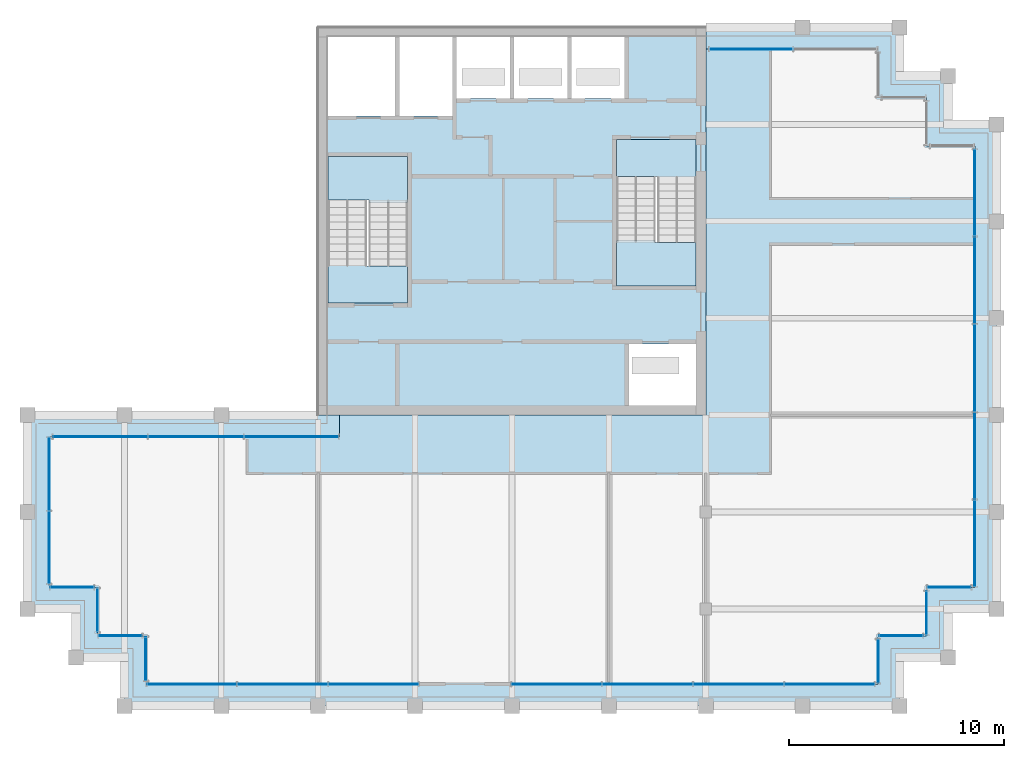
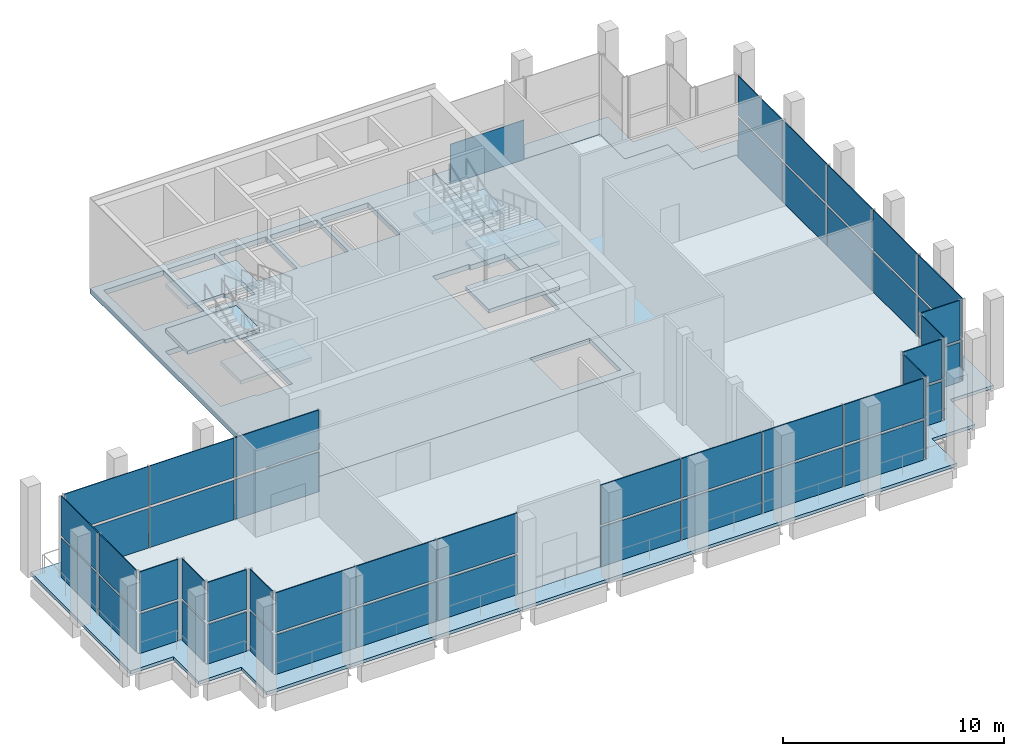
# One storey, part 10 of 14: 51 plates, 9 slabs, 16 elements without a shape of their own.
"""IFC4 building model written with IfcOpenShell, lengths in metres."""

from ifc_helpers import new_model, si_unit, direction, frame, origin, origin_2d, place, context, subcontext, project, spatial, polyline, rectangle, outline, extrude, material, layer, layer_set, type_object, element, aggregate, save


model = new_model("IFC4")

# Units and contexts
model_context = context("Model", 3, precision=1e-05, world=origin(), true_north=direction((0.0, 1.0)))
body_context = subcontext(model_context, "Body", "Model", "MODEL_VIEW")
ifc_project = project(units=[si_unit("LENGTHUNIT", "METRE"), si_unit("AREAUNIT", "SQUARE_METRE"), si_unit("VOLUMEUNIT", "CUBIC_METRE"), si_unit("PLANEANGLEUNIT", "RADIAN"), si_unit("MASSUNIT", "GRAM", prefix="KILO")], contexts=[model_context])

# Site, building, storey
site_placement = place(None, origin())
site = spatial("IfcSite", under=ifc_project, at=site_placement, CompositionType="ELEMENT")
building_placement = place(site_placement, origin())
building = spatial("IfcBuilding", under=site, at=building_placement, Name="Altepetl Exchange Towers", CompositionType="ELEMENT")
storey_placement = place(building_placement, frame((0.0, 0.0, 269.60009765625)))
storey = spatial("IfcBuildingStorey", under=building, at=storey_placement, Name="L68 Observation gallery", CompositionType="ELEMENT", Elevation=269.60009765625)

# Slabs
ifc_material_1 = material(Name="Concrete C40/50", Category="concrete")
ifc_layer_1 = layer(ifc_material_1, 0.175048828125)
ifc_layer_set_1 = layer_set([ifc_layer_1], Name="Concrete C40/50")
slab_type_1 = type_object("IfcSlabType", Name="Composite floor slab 175", PredefinedType="FLOOR", material=ifc_layer_set_1)
slab_1_placement = place(storey_placement, frame((0.0, 0.0, -0.175048828125)))
element("IfcSlab", 1, at=slab_1_placement, inside=storey, type_object=slab_type_1, Name="slab:A:L68:strip0", PredefinedType="FLOOR", context=body_context, shape_type="SweptSolid", body=[
    extrude(outline(polyline([(41.5, 40.5), (41.5, 39.5), (28.0, 39.5), (28.0, 32.5), (30.25, 32.5), (30.25, 30.25), (32.5, 30.25), (32.5, 28.0), (66.5, 28.0), (66.5, 30.25), (68.75, 30.25), (68.75, 32.5), (71.0, 32.5), (71.0, 53.0), (68.75, 53.0), (68.75, 55.25), (66.5, 55.25), (66.5, 57.5), (58.5, 57.5), (58.5, 40.5), (41.5, 40.5)])), origin(), (0.0, 0.0, 1.0), 0.175048828125),
])
ifc_layer_2 = layer(ifc_material_1, 0.27490234375)
ifc_layer_set_2 = layer_set([ifc_layer_2], Name="Concrete C40/50")
slab_type_2 = type_object("IfcSlabType", Name="Core floor slab 275", PredefinedType="FLOOR", material=ifc_layer_set_2)
slab_2_placement = place(storey_placement, frame((0.0, 0.0, -0.275146484375)))
element("IfcSlab", 2, at=slab_2_placement, inside=storey, type_object=slab_type_2, Name="slab:A:L68:core0", PredefinedType="FLOOR", context=body_context, shape_type="SweptSolid", body=[
    extrude(outline(polyline([(40.5, 40.5), (58.5, 40.5), (58.5, 58.5), (40.5, 58.5), (40.5, 40.5)]), holes=[polyline([(54.93310546875, 43.800048828125), (58.050048828125, 43.800048828125), (58.050048828125, 40.949951171875), (54.93310546875, 40.949951171875), (54.93310546875, 43.800048828125)]), polyline([(54.35009765625, 51.5791015625), (56.25, 51.5791015625), (56.25, 51.47998046875), (58.050048828125, 51.47998046875), (58.050048828125, 46.5), (54.35009765625, 46.5), (54.35009765625, 51.5791015625)]), polyline([(44.64990234375, 47.4208984375), (42.75, 47.4208984375), (42.75, 47.52001953125), (40.949951171875, 47.52001953125), (40.949951171875, 52.5), (44.64990234375, 52.5), (44.64990234375, 47.4208984375)]), polyline([(40.949951171875, 58.050048828125), (44.06689453125, 58.050048828125), (44.06689453125, 54.39990234375), (40.949951171875, 54.39990234375), (40.949951171875, 58.050048828125)]), polyline([(44.26708984375, 58.050048828125), (46.73291015625, 58.050048828125), (46.73291015625, 54.39990234375), (44.26708984375, 54.39990234375), (44.26708984375, 58.050048828125)]), polyline([(46.93310546875, 58.050048828125), (49.39990234375, 58.050048828125), (49.39990234375, 55.199951171875), (46.93310546875, 55.199951171875), (46.93310546875, 58.050048828125)]), polyline([(49.60009765625, 58.050048828125), (52.06689453125, 58.050048828125), (52.06689453125, 55.199951171875), (49.60009765625, 55.199951171875), (49.60009765625, 58.050048828125)]), polyline([(52.26708984375, 58.050048828125), (54.73291015625, 58.050048828125), (54.73291015625, 55.199951171875), (52.26708984375, 55.199951171875), (52.26708984375, 58.050048828125)])]), origin(), (0.0, 0.0, 1.0), 0.275146484375),
])

# Curtain wall, plates
ifc_material_2 = material(Name="Aluminium 6063-T6 glazing", Category="aluminium")
curtain_wall_type = type_object("IfcCurtainWallType", Name="Executive flush glazing system", PredefinedType="NOTDEFINED", material=ifc_material_2)
curtain_wall_1_placement = place(storey_placement, origin())
curtain_wall_1 = element("IfcCurtainWall", 3, at=curtain_wall_1_placement, inside=storey, type_object=curtain_wall_type, Name="CW4 run", PredefinedType="NOTDEFINED")
ifc_material_3 = material(Name="Glass 10-24-10 laminated", Category="glass")
ifc_layer_3 = layer(ifc_material_3, 0.0439453125)
ifc_layer_set_3 = layer_set([ifc_layer_3], Name="Glass 10-24-10 laminated")
plate_type = type_object("IfcPlateType", Name="Glass panel 44 laminated", PredefinedType="CURTAIN_PANEL", material=ifc_layer_set_3)
plate_1_placement = place(storey_placement, frame((39.255859375, 39.5, 0.0), z_axis=(0.0, 0.0, 1.0), x_axis=(-1.0, 0.0, 0.0)))
plate_1 = element("IfcPlate", 4, at=plate_1_placement, type_object=plate_type, Name="GP3 panel", PredefinedType="CURTAIN_PANEL", context=body_context, shape_type="SweptSolid", body=[
    extrude(rectangle(XDim=4.368408203125, YDim=0.0439453125, at=origin_2d()), origin(), (0.0, 0.0, 1.0), 2.179931640625),
])
plate_2_placement = place(storey_placement, frame((39.255859375, 39.5, 2.31982421875), z_axis=(0.0, 0.0, 1.0), x_axis=(-1.0, 0.0, 0.0)))
plate_2 = element("IfcPlate", 5, at=plate_2_placement, type_object=plate_type, Name="GP3 panel", PredefinedType="CURTAIN_PANEL", context=body_context, shape_type="SweptSolid", body=[
    extrude(rectangle(XDim=4.368408203125, YDim=0.0439453125, at=origin_2d()), origin(), (0.0, 0.0, 1.0), 2.179931640625),
])
plate_3_placement = place(storey_placement, frame((34.8125, 39.5, 0.0), z_axis=(0.0, 0.0, 1.0), x_axis=(-1.0, 0.0, 0.0)))
plate_3 = element("IfcPlate", 6, at=plate_3_placement, type_object=plate_type, Name="GP3 panel", PredefinedType="CURTAIN_PANEL", context=body_context, shape_type="SweptSolid", body=[
    extrude(rectangle(XDim=4.3984375, YDim=0.0439453125, at=origin_2d()), origin(), (0.0, 0.0, 1.0), 2.179931640625),
])
plate_4_placement = place(storey_placement, frame((34.8125, 39.5, 2.31982421875), z_axis=(0.0, 0.0, 1.0), x_axis=(-1.0, 0.0, 0.0)))
plate_4 = element("IfcPlate", 7, at=plate_4_placement, type_object=plate_type, Name="GP3 panel", PredefinedType="CURTAIN_PANEL", context=body_context, shape_type="SweptSolid", body=[
    extrude(rectangle(XDim=4.3984375, YDim=0.0439453125, at=origin_2d()), origin(), (0.0, 0.0, 1.0), 2.179931640625),
])
plate_5_placement = place(storey_placement, frame((30.369140625, 39.5, 0.0), z_axis=(0.0, 0.0, 1.0), x_axis=(-1.0, 0.0, 0.0)))
plate_5 = element("IfcPlate", 8, at=plate_5_placement, type_object=plate_type, Name="GP3 panel", PredefinedType="CURTAIN_PANEL", context=body_context, shape_type="SweptSolid", body=[
    extrude(rectangle(XDim=4.368408203125, YDim=0.0439453125, at=origin_2d()), origin(), (0.0, 0.0, 1.0), 2.179931640625),
])
plate_6_placement = place(storey_placement, frame((30.369140625, 39.5, 2.31982421875), z_axis=(0.0, 0.0, 1.0), x_axis=(-1.0, 0.0, 0.0)))
plate_6 = element("IfcPlate", 9, at=plate_6_placement, type_object=plate_type, Name="GP3 panel", PredefinedType="CURTAIN_PANEL", context=body_context, shape_type="SweptSolid", body=[
    extrude(rectangle(XDim=4.368408203125, YDim=0.0439453125, at=origin_2d()), origin(), (0.0, 0.0, 1.0), 2.179931640625),
])
aggregate(curtain_wall_1, [plate_1, plate_2, plate_3, plate_4, plate_5, plate_6])

curtain_wall_2_placement = place(storey_placement, origin())
curtain_wall_2 = element("IfcCurtainWall", 10, at=curtain_wall_2_placement, inside=storey, type_object=curtain_wall_type, Name="CW4 run", PredefinedType="NOTDEFINED")
plate_7_placement = place(storey_placement, frame((28.0, 37.766357421875, 0.0), z_axis=(0.0, 0.0, 1.0), x_axis=(0.0, -1.0, 0.0)))
plate_7 = element("IfcPlate", 11, at=plate_7_placement, type_object=plate_type, Name="GP3 panel", PredefinedType="CURTAIN_PANEL", context=body_context, shape_type="SweptSolid", body=[
    extrude(rectangle(XDim=3.347412109375, YDim=0.0439453125, at=origin_2d()), origin(), (0.0, 0.0, 1.0), 2.179931640625),
])
plate_8_placement = place(storey_placement, frame((28.0, 37.766357421875, 2.31982421875), z_axis=(0.0, 0.0, 1.0), x_axis=(0.0, -1.0, 0.0)))
plate_8 = element("IfcPlate", 12, at=plate_8_placement, type_object=plate_type, Name="GP3 panel", PredefinedType="CURTAIN_PANEL", context=body_context, shape_type="SweptSolid", body=[
    extrude(rectangle(XDim=3.347412109375, YDim=0.0439453125, at=origin_2d()), origin(), (0.0, 0.0, 1.0), 2.179931640625),
])
plate_9_placement = place(storey_placement, frame((28.0, 34.358642578125, 0.0), z_axis=(0.0, 0.0, 1.0), x_axis=(0.0, -1.0, 0.0)))
plate_9 = element("IfcPlate", 13, at=plate_9_placement, type_object=plate_type, Name="GP3 panel", PredefinedType="CURTAIN_PANEL", context=body_context, shape_type="SweptSolid", body=[
    extrude(rectangle(XDim=3.347412109375, YDim=0.0439453125, at=origin_2d()), origin(), (0.0, 0.0, 1.0), 2.179931640625),
])
plate_10_placement = place(storey_placement, frame((28.0, 34.358642578125, 2.31982421875), z_axis=(0.0, 0.0, 1.0), x_axis=(0.0, -1.0, 0.0)))
plate_10 = element("IfcPlate", 14, at=plate_10_placement, type_object=plate_type, Name="GP3 panel", PredefinedType="CURTAIN_PANEL", context=body_context, shape_type="SweptSolid", body=[
    extrude(rectangle(XDim=3.347412109375, YDim=0.0439453125, at=origin_2d()), origin(), (0.0, 0.0, 1.0), 2.179931640625),
])
aggregate(curtain_wall_2, [plate_7, plate_8, plate_9, plate_10])

curtain_wall_3_placement = place(storey_placement, origin())
curtain_wall_3 = element("IfcCurtainWall", 15, at=curtain_wall_3_placement, inside=storey, type_object=curtain_wall_type, Name="CW4 run", PredefinedType="NOTDEFINED")
plate_11_placement = place(storey_placement, frame((29.0625, 32.5, 0.0)))
plate_11 = element("IfcPlate", 16, at=plate_11_placement, type_object=plate_type, Name="GP3 panel", PredefinedType="CURTAIN_PANEL", context=body_context, shape_type="SweptSolid", body=[
    extrude(rectangle(XDim=2.0048828125, YDim=0.0439453125, at=origin_2d()), origin(), (0.0, 0.0, 1.0), 2.179931640625),
])
plate_12_placement = place(storey_placement, frame((29.0625, 32.5, 2.31982421875)))
plate_12 = element("IfcPlate", 17, at=plate_12_placement, type_object=plate_type, Name="GP3 panel", PredefinedType="CURTAIN_PANEL", context=body_context, shape_type="SweptSolid", body=[
    extrude(rectangle(XDim=2.0048828125, YDim=0.0439453125, at=origin_2d()), origin(), (0.0, 0.0, 1.0), 2.179931640625),
])
aggregate(curtain_wall_3, [plate_11, plate_12])

curtain_wall_4_placement = place(storey_placement, origin())
curtain_wall_4 = element("IfcCurtainWall", 18, at=curtain_wall_4_placement, inside=storey, type_object=curtain_wall_type, Name="CW4 run", PredefinedType="NOTDEFINED")
plate_13_placement = place(storey_placement, frame((30.25, 31.4375, 0.0), z_axis=(0.0, 0.0, 1.0), x_axis=(0.0, -1.0, 0.0)))
plate_13 = element("IfcPlate", 19, at=plate_13_placement, type_object=plate_type, Name="GP3 panel", PredefinedType="CURTAIN_PANEL", context=body_context, shape_type="SweptSolid", body=[
    extrude(rectangle(XDim=2.0048828125, YDim=0.0439453125, at=origin_2d()), origin(), (0.0, 0.0, 1.0), 2.179931640625),
])
plate_14_placement = place(storey_placement, frame((30.25, 31.4375, 2.31982421875), z_axis=(0.0, 0.0, 1.0), x_axis=(0.0, -1.0, 0.0)))
plate_14 = element("IfcPlate", 20, at=plate_14_placement, type_object=plate_type, Name="GP3 panel", PredefinedType="CURTAIN_PANEL", context=body_context, shape_type="SweptSolid", body=[
    extrude(rectangle(XDim=2.0048828125, YDim=0.0439453125, at=origin_2d()), origin(), (0.0, 0.0, 1.0), 2.179931640625),
])
aggregate(curtain_wall_4, [plate_13, plate_14])

curtain_wall_5_placement = place(storey_placement, origin())
curtain_wall_5 = element("IfcCurtainWall", 21, at=curtain_wall_5_placement, inside=storey, type_object=curtain_wall_type, Name="CW4 run", PredefinedType="NOTDEFINED")
plate_15_placement = place(storey_placement, frame((31.3125, 30.25, 0.0)))
plate_15 = element("IfcPlate", 22, at=plate_15_placement, type_object=plate_type, Name="GP3 panel", PredefinedType="CURTAIN_PANEL", context=body_context, shape_type="SweptSolid", body=[
    extrude(rectangle(XDim=2.0048828125, YDim=0.0439453125, at=origin_2d()), origin(), (0.0, 0.0, 1.0), 2.179931640625),
])
plate_16_placement = place(storey_placement, frame((31.3125, 30.25, 2.31982421875)))
plate_16 = element("IfcPlate", 23, at=plate_16_placement, type_object=plate_type, Name="GP3 panel", PredefinedType="CURTAIN_PANEL", context=body_context, shape_type="SweptSolid", body=[
    extrude(rectangle(XDim=2.0048828125, YDim=0.0439453125, at=origin_2d()), origin(), (0.0, 0.0, 1.0), 2.179931640625),
])
aggregate(curtain_wall_5, [plate_15, plate_16])

curtain_wall_6_placement = place(storey_placement, origin())
curtain_wall_6 = element("IfcCurtainWall", 24, at=curtain_wall_6_placement, inside=storey, type_object=curtain_wall_type, Name="CW4 run", PredefinedType="NOTDEFINED")
plate_17_placement = place(storey_placement, frame((32.5, 29.1875, 0.0), z_axis=(0.0, 0.0, 1.0), x_axis=(0.0, -1.0, 0.0)))
plate_17 = element("IfcPlate", 25, at=plate_17_placement, type_object=plate_type, Name="GP3 panel", PredefinedType="CURTAIN_PANEL", context=body_context, shape_type="SweptSolid", body=[
    extrude(rectangle(XDim=2.0048828125, YDim=0.0439453125, at=origin_2d()), origin(), (0.0, 0.0, 1.0), 2.179931640625),
])
plate_18_placement = place(storey_placement, frame((32.5, 29.1875, 2.31982421875), z_axis=(0.0, 0.0, 1.0), x_axis=(0.0, -1.0, 0.0)))
plate_18 = element("IfcPlate", 26, at=plate_18_placement, type_object=plate_type, Name="GP3 panel", PredefinedType="CURTAIN_PANEL", context=body_context, shape_type="SweptSolid", body=[
    extrude(rectangle(XDim=2.0048828125, YDim=0.0439453125, at=origin_2d()), origin(), (0.0, 0.0, 1.0), 2.179931640625),
])
aggregate(curtain_wall_6, [plate_17, plate_18])

curtain_wall_7_placement = place(storey_placement, origin())
curtain_wall_7 = element("IfcCurtainWall", 27, at=curtain_wall_7_placement, inside=storey, type_object=curtain_wall_type, Name="CW4 run", PredefinedType="NOTDEFINED")
plate_19_placement = place(storey_placement, frame((34.632080078125, 28.0, 0.0)))
plate_19 = element("IfcPlate", 28, at=plate_19_placement, type_object=plate_type, Name="GP3 panel", PredefinedType="CURTAIN_PANEL", context=body_context, shape_type="SweptSolid", body=[
    extrude(rectangle(XDim=4.144287109375, YDim=0.0439453125, at=origin_2d()), origin(), (0.0, 0.0, 1.0), 2.179931640625),
])
plate_20_placement = place(storey_placement, frame((34.632080078125, 28.0, 2.31982421875)))
plate_20 = element("IfcPlate", 29, at=plate_20_placement, type_object=plate_type, Name="GP3 panel", PredefinedType="CURTAIN_PANEL", context=body_context, shape_type="SweptSolid", body=[
    extrude(rectangle(XDim=4.144287109375, YDim=0.0439453125, at=origin_2d()), origin(), (0.0, 0.0, 1.0), 2.179931640625),
])
plate_21_placement = place(storey_placement, frame((38.8515625, 28.0, 0.0)))
plate_21 = element("IfcPlate", 30, at=plate_21_placement, type_object=plate_type, Name="GP3 panel", PredefinedType="CURTAIN_PANEL", context=body_context, shape_type="SweptSolid", body=[
    extrude(rectangle(XDim=4.17431640625, YDim=0.0439453125, at=origin_2d()), origin(), (0.0, 0.0, 1.0), 2.179931640625),
])
plate_22_placement = place(storey_placement, frame((38.8515625, 28.0, 2.31982421875)))
plate_22 = element("IfcPlate", 31, at=plate_22_placement, type_object=plate_type, Name="GP3 panel", PredefinedType="CURTAIN_PANEL", context=body_context, shape_type="SweptSolid", body=[
    extrude(rectangle(XDim=4.17431640625, YDim=0.0439453125, at=origin_2d()), origin(), (0.0, 0.0, 1.0), 2.179931640625),
])
plate_23_placement = place(storey_placement, frame((43.071044921875, 28.0, 0.0)))
plate_23 = element("IfcPlate", 32, at=plate_23_placement, type_object=plate_type, Name="GP3 panel", PredefinedType="CURTAIN_PANEL", context=body_context, shape_type="SweptSolid", body=[
    extrude(rectangle(XDim=4.144287109375, YDim=0.0439453125, at=origin_2d()), origin(), (0.0, 0.0, 1.0), 2.179931640625),
])
plate_24_placement = place(storey_placement, frame((43.071044921875, 28.0, 2.31982421875)))
plate_24 = element("IfcPlate", 33, at=plate_24_placement, type_object=plate_type, Name="GP3 panel", PredefinedType="CURTAIN_PANEL", context=body_context, shape_type="SweptSolid", body=[
    extrude(rectangle(XDim=4.144287109375, YDim=0.0439453125, at=origin_2d()), origin(), (0.0, 0.0, 1.0), 2.179931640625),
])
aggregate(curtain_wall_7, [plate_19, plate_20, plate_21, plate_22, plate_23, plate_24])

curtain_wall_8_placement = place(storey_placement, origin())
curtain_wall_8 = element("IfcCurtainWall", 34, at=curtain_wall_8_placement, inside=storey, type_object=curtain_wall_type, Name="CW4 run", PredefinedType="NOTDEFINED")
plate_25_placement = place(storey_placement, frame((51.569580078125, 28.0, 0.0)))
plate_25 = element("IfcPlate", 35, at=plate_25_placement, type_object=plate_type, Name="GP3 panel", PredefinedType="CURTAIN_PANEL", context=body_context, shape_type="SweptSolid", body=[
    extrude(rectangle(XDim=4.144287109375, YDim=0.0439453125, at=origin_2d()), origin(), (0.0, 0.0, 1.0), 2.179931640625),
])
plate_26_placement = place(storey_placement, frame((51.569580078125, 28.0, 2.31982421875)))
plate_26 = element("IfcPlate", 36, at=plate_26_placement, type_object=plate_type, Name="GP3 panel", PredefinedType="CURTAIN_PANEL", context=body_context, shape_type="SweptSolid", body=[
    extrude(rectangle(XDim=4.144287109375, YDim=0.0439453125, at=origin_2d()), origin(), (0.0, 0.0, 1.0), 2.179931640625),
])
plate_27_placement = place(storey_placement, frame((55.7890625, 28.0, 0.0)))
plate_27 = element("IfcPlate", 37, at=plate_27_placement, type_object=plate_type, Name="GP3 panel", PredefinedType="CURTAIN_PANEL", context=body_context, shape_type="SweptSolid", body=[
    extrude(rectangle(XDim=4.17431640625, YDim=0.0439453125, at=origin_2d()), origin(), (0.0, 0.0, 1.0), 2.179931640625),
])
plate_28_placement = place(storey_placement, frame((55.7890625, 28.0, 2.31982421875)))
plate_28 = element("IfcPlate", 38, at=plate_28_placement, type_object=plate_type, Name="GP3 panel", PredefinedType="CURTAIN_PANEL", context=body_context, shape_type="SweptSolid", body=[
    extrude(rectangle(XDim=4.17431640625, YDim=0.0439453125, at=origin_2d()), origin(), (0.0, 0.0, 1.0), 2.179931640625),
])
plate_29_placement = place(storey_placement, frame((60.0234375, 28.0, 0.0)))
plate_29 = element("IfcPlate", 39, at=plate_29_placement, type_object=plate_type, Name="GP3 panel", PredefinedType="CURTAIN_PANEL", context=body_context, shape_type="SweptSolid", body=[
    extrude(rectangle(XDim=4.17431640625, YDim=0.0439453125, at=origin_2d()), origin(), (0.0, 0.0, 1.0), 2.179931640625),
])
plate_30_placement = place(storey_placement, frame((60.0234375, 28.0, 2.31982421875)))
plate_30 = element("IfcPlate", 40, at=plate_30_placement, type_object=plate_type, Name="GP3 panel", PredefinedType="CURTAIN_PANEL", context=body_context, shape_type="SweptSolid", body=[
    extrude(rectangle(XDim=4.17431640625, YDim=0.0439453125, at=origin_2d()), origin(), (0.0, 0.0, 1.0), 2.179931640625),
])
plate_31_placement = place(storey_placement, frame((64.242919921875, 28.0, 0.0)))
plate_31 = element("IfcPlate", 41, at=plate_31_placement, type_object=plate_type, Name="GP3 panel", PredefinedType="CURTAIN_PANEL", context=body_context, shape_type="SweptSolid", body=[
    extrude(rectangle(XDim=4.144287109375, YDim=0.0439453125, at=origin_2d()), origin(), (0.0, 0.0, 1.0), 2.179931640625),
])
plate_32_placement = place(storey_placement, frame((64.242919921875, 28.0, 2.31982421875)))
plate_32 = element("IfcPlate", 42, at=plate_32_placement, type_object=plate_type, Name="GP3 panel", PredefinedType="CURTAIN_PANEL", context=body_context, shape_type="SweptSolid", body=[
    extrude(rectangle(XDim=4.144287109375, YDim=0.0439453125, at=origin_2d()), origin(), (0.0, 0.0, 1.0), 2.179931640625),
])
aggregate(curtain_wall_8, [plate_25, plate_26, plate_27, plate_28, plate_29, plate_30, plate_31, plate_32])

curtain_wall_9_placement = place(storey_placement, origin())
curtain_wall_9 = element("IfcCurtainWall", 43, at=curtain_wall_9_placement, inside=storey, type_object=curtain_wall_type, Name="CW4 run", PredefinedType="NOTDEFINED")
plate_33_placement = place(storey_placement, frame((66.5, 29.0625, 0.0), z_axis=(0.0, 0.0, 1.0), x_axis=(0.0, 1.0, 0.0)))
plate_33 = element("IfcPlate", 44, at=plate_33_placement, type_object=plate_type, Name="GP3 panel", PredefinedType="CURTAIN_PANEL", context=body_context, shape_type="SweptSolid", body=[
    extrude(rectangle(XDim=2.0048828125, YDim=0.0439453125, at=origin_2d()), origin(), (0.0, 0.0, 1.0), 2.179931640625),
])
plate_34_placement = place(storey_placement, frame((66.5, 29.0625, 2.31982421875), z_axis=(0.0, 0.0, 1.0), x_axis=(0.0, 1.0, 0.0)))
plate_34 = element("IfcPlate", 45, at=plate_34_placement, type_object=plate_type, Name="GP3 panel", PredefinedType="CURTAIN_PANEL", context=body_context, shape_type="SweptSolid", body=[
    extrude(rectangle(XDim=2.0048828125, YDim=0.0439453125, at=origin_2d()), origin(), (0.0, 0.0, 1.0), 2.179931640625),
])
aggregate(curtain_wall_9, [plate_33, plate_34])

curtain_wall_10_placement = place(storey_placement, origin())
curtain_wall_10 = element("IfcCurtainWall", 46, at=curtain_wall_10_placement, inside=storey, type_object=curtain_wall_type, Name="CW4 run", PredefinedType="NOTDEFINED")
plate_35_placement = place(storey_placement, frame((67.5625, 30.25, 0.0)))
plate_35 = element("IfcPlate", 47, at=plate_35_placement, type_object=plate_type, Name="GP3 panel", PredefinedType="CURTAIN_PANEL", context=body_context, shape_type="SweptSolid", body=[
    extrude(rectangle(XDim=2.0048828125, YDim=0.0439453125, at=origin_2d()), origin(), (0.0, 0.0, 1.0), 2.179931640625),
])
plate_36_placement = place(storey_placement, frame((67.5625, 30.25, 2.31982421875)))
plate_36 = element("IfcPlate", 48, at=plate_36_placement, type_object=plate_type, Name="GP3 panel", PredefinedType="CURTAIN_PANEL", context=body_context, shape_type="SweptSolid", body=[
    extrude(rectangle(XDim=2.0048828125, YDim=0.0439453125, at=origin_2d()), origin(), (0.0, 0.0, 1.0), 2.179931640625),
])
aggregate(curtain_wall_10, [plate_35, plate_36])

curtain_wall_11_placement = place(storey_placement, origin())
curtain_wall_11 = element("IfcCurtainWall", 49, at=curtain_wall_11_placement, inside=storey, type_object=curtain_wall_type, Name="CW4 run", PredefinedType="NOTDEFINED")
plate_37_placement = place(storey_placement, frame((68.75, 31.3125, 0.0), z_axis=(0.0, 0.0, 1.0), x_axis=(0.0, 1.0, 0.0)))
plate_37 = element("IfcPlate", 50, at=plate_37_placement, type_object=plate_type, Name="GP3 panel", PredefinedType="CURTAIN_PANEL", context=body_context, shape_type="SweptSolid", body=[
    extrude(rectangle(XDim=2.0048828125, YDim=0.0439453125, at=origin_2d()), origin(), (0.0, 0.0, 1.0), 2.179931640625),
])
plate_38_placement = place(storey_placement, frame((68.75, 31.3125, 2.31982421875), z_axis=(0.0, 0.0, 1.0), x_axis=(0.0, 1.0, 0.0)))
plate_38 = element("IfcPlate", 51, at=plate_38_placement, type_object=plate_type, Name="GP3 panel", PredefinedType="CURTAIN_PANEL", context=body_context, shape_type="SweptSolid", body=[
    extrude(rectangle(XDim=2.0048828125, YDim=0.0439453125, at=origin_2d()), origin(), (0.0, 0.0, 1.0), 2.179931640625),
])
aggregate(curtain_wall_11, [plate_37, plate_38])

curtain_wall_12_placement = place(storey_placement, origin())
curtain_wall_12 = element("IfcCurtainWall", 52, at=curtain_wall_12_placement, inside=storey, type_object=curtain_wall_type, Name="CW4 run", PredefinedType="NOTDEFINED")
plate_39_placement = place(storey_placement, frame((69.8125, 32.5, 0.0)))
plate_39 = element("IfcPlate", 53, at=plate_39_placement, type_object=plate_type, Name="GP3 panel", PredefinedType="CURTAIN_PANEL", context=body_context, shape_type="SweptSolid", body=[
    extrude(rectangle(XDim=2.0048828125, YDim=0.0439453125, at=origin_2d()), origin(), (0.0, 0.0, 1.0), 2.179931640625),
])
plate_40_placement = place(storey_placement, frame((69.8125, 32.5, 2.31982421875)))
plate_40 = element("IfcPlate", 54, at=plate_40_placement, type_object=plate_type, Name="GP3 panel", PredefinedType="CURTAIN_PANEL", context=body_context, shape_type="SweptSolid", body=[
    extrude(rectangle(XDim=2.0048828125, YDim=0.0439453125, at=origin_2d()), origin(), (0.0, 0.0, 1.0), 2.179931640625),
])
aggregate(curtain_wall_12, [plate_39, plate_40])

curtain_wall_13_placement = place(storey_placement, origin())
curtain_wall_13 = element("IfcCurtainWall", 55, at=curtain_wall_13_placement, inside=storey, type_object=curtain_wall_type, Name="CW4 run", PredefinedType="NOTDEFINED")
plate_41_placement = place(storey_placement, frame((71.0, 34.552490234375, 0.0), z_axis=(0.0, 0.0, 1.0), x_axis=(0.0, 1.0, 0.0)))
plate_41 = element("IfcPlate", 56, at=plate_41_placement, type_object=plate_type, Name="GP3 panel", PredefinedType="CURTAIN_PANEL", context=body_context, shape_type="SweptSolid", body=[
    extrude(rectangle(XDim=3.985107421875, YDim=0.0439453125, at=origin_2d()), origin(), (0.0, 0.0, 1.0), 2.179931640625),
])
plate_42_placement = place(storey_placement, frame((71.0, 34.552490234375, 2.31982421875), z_axis=(0.0, 0.0, 1.0), x_axis=(0.0, 1.0, 0.0)))
plate_42 = element("IfcPlate", 57, at=plate_42_placement, type_object=plate_type, Name="GP3 panel", PredefinedType="CURTAIN_PANEL", context=body_context, shape_type="SweptSolid", body=[
    extrude(rectangle(XDim=3.985107421875, YDim=0.0439453125, at=origin_2d()), origin(), (0.0, 0.0, 1.0), 2.179931640625),
])
plate_43_placement = place(storey_placement, frame((71.0, 38.612548828125, 0.0), z_axis=(0.0, 0.0, 1.0), x_axis=(0.0, 1.0, 0.0)))
plate_43 = element("IfcPlate", 58, at=plate_43_placement, type_object=plate_type, Name="GP3 panel", PredefinedType="CURTAIN_PANEL", context=body_context, shape_type="SweptSolid", body=[
    extrude(rectangle(XDim=4.014892578125, YDim=0.0439453125, at=origin_2d()), origin(), (0.0, 0.0, 1.0), 2.179931640625),
])
plate_44_placement = place(storey_placement, frame((71.0, 38.612548828125, 2.31982421875), z_axis=(0.0, 0.0, 1.0), x_axis=(0.0, 1.0, 0.0)))
plate_44 = element("IfcPlate", 59, at=plate_44_placement, type_object=plate_type, Name="GP3 panel", PredefinedType="CURTAIN_PANEL", context=body_context, shape_type="SweptSolid", body=[
    extrude(rectangle(XDim=4.014892578125, YDim=0.0439453125, at=origin_2d()), origin(), (0.0, 0.0, 1.0), 2.179931640625),
])
plate_45_placement = place(storey_placement, frame((71.0, 42.6875, 0.0), z_axis=(0.0, 0.0, 1.0), x_axis=(0.0, 1.0, 0.0)))
plate_45 = element("IfcPlate", 60, at=plate_45_placement, type_object=plate_type, Name="GP3 panel", PredefinedType="CURTAIN_PANEL", context=body_context, shape_type="SweptSolid", body=[
    extrude(rectangle(XDim=4.014892578125, YDim=0.0439453125, at=origin_2d()), origin(), (0.0, 0.0, 1.0), 2.179931640625),
])
plate_46_placement = place(storey_placement, frame((71.0, 42.6875, 2.31982421875), z_axis=(0.0, 0.0, 1.0), x_axis=(0.0, 1.0, 0.0)))
plate_46 = element("IfcPlate", 61, at=plate_46_placement, type_object=plate_type, Name="GP3 panel", PredefinedType="CURTAIN_PANEL", context=body_context, shape_type="SweptSolid", body=[
    extrude(rectangle(XDim=4.014892578125, YDim=0.0439453125, at=origin_2d()), origin(), (0.0, 0.0, 1.0), 2.179931640625),
])
plate_47_placement = place(storey_placement, frame((71.0, 46.762451171875, 0.0), z_axis=(0.0, 0.0, 1.0), x_axis=(0.0, 1.0, 0.0)))
plate_47 = element("IfcPlate", 62, at=plate_47_placement, type_object=plate_type, Name="GP3 panel", PredefinedType="CURTAIN_PANEL", context=body_context, shape_type="SweptSolid", body=[
    extrude(rectangle(XDim=4.014892578125, YDim=0.0439453125, at=origin_2d()), origin(), (0.0, 0.0, 1.0), 2.179931640625),
])
plate_48_placement = place(storey_placement, frame((71.0, 46.762451171875, 2.31982421875), z_axis=(0.0, 0.0, 1.0), x_axis=(0.0, 1.0, 0.0)))
plate_48 = element("IfcPlate", 63, at=plate_48_placement, type_object=plate_type, Name="GP3 panel", PredefinedType="CURTAIN_PANEL", context=body_context, shape_type="SweptSolid", body=[
    extrude(rectangle(XDim=4.014892578125, YDim=0.0439453125, at=origin_2d()), origin(), (0.0, 0.0, 1.0), 2.179931640625),
])
plate_49_placement = place(storey_placement, frame((71.0, 50.822509765625, 0.0), z_axis=(0.0, 0.0, 1.0), x_axis=(0.0, 1.0, 0.0)))
plate_49 = element("IfcPlate", 64, at=plate_49_placement, type_object=plate_type, Name="GP3 panel", PredefinedType="CURTAIN_PANEL", context=body_context, shape_type="SweptSolid", body=[
    extrude(rectangle(XDim=3.985107421875, YDim=0.0439453125, at=origin_2d()), origin(), (0.0, 0.0, 1.0), 2.179931640625),
])
plate_50_placement = place(storey_placement, frame((71.0, 50.822509765625, 2.31982421875), z_axis=(0.0, 0.0, 1.0), x_axis=(0.0, 1.0, 0.0)))
plate_50 = element("IfcPlate", 65, at=plate_50_placement, type_object=plate_type, Name="GP3 panel", PredefinedType="CURTAIN_PANEL", context=body_context, shape_type="SweptSolid", body=[
    extrude(rectangle(XDim=3.985107421875, YDim=0.0439453125, at=origin_2d()), origin(), (0.0, 0.0, 1.0), 2.179931640625),
])
aggregate(curtain_wall_13, [plate_41, plate_42, plate_43, plate_44, plate_45, plate_46, plate_47, plate_48, plate_49, plate_50])

# Curtain wall, plate
curtain_wall_14_placement = place(storey_placement, origin())
curtain_wall_14 = element("IfcCurtainWall", 66, at=curtain_wall_14_placement, inside=storey, type_object=curtain_wall_type, Name="CW4 run", PredefinedType="NOTDEFINED")
plate_51_placement = place(storey_placement, frame((60.608642578125, 57.5, 0.0), z_axis=(0.0, 0.0, 1.0), x_axis=(-1.0, 0.0, 0.0)))
plate_51 = element("IfcPlate", 67, at=plate_51_placement, type_object=plate_type, Name="GP3 panel", PredefinedType="CURTAIN_PANEL", context=body_context, shape_type="SweptSolid", body=[
    extrude(rectangle(XDim=3.847412109375, YDim=0.0439453125, at=origin_2d()), origin(), (0.0, 0.0, 1.0), 2.179931640625),
])
aggregate(curtain_wall_14, [plate_51])

# Slab
ifc_layer_4 = layer(ifc_material_1, 0.175048828125)
ifc_layer_set_4 = layer_set([ifc_layer_4], Name="Concrete C40/50")
slab_type_3 = type_object("IfcSlabType", Name="Loggia slab 175", PredefinedType="FLOOR", material=ifc_layer_set_4)
slab_3_placement = place(storey_placement, frame((0.0, 0.0, -0.175048828125)))
element("IfcSlab", 68, at=slab_3_placement, inside=storey, type_object=slab_type_3, Name="slab:A:L68:loggia0", PredefinedType="FLOOR", context=body_context, shape_type="SweptSolid", body=[
    extrude(outline(polyline([(40.5, 40.5), (27.0, 40.5), (27.0, 31.5), (29.25, 31.5), (29.25, 29.25), (31.5, 29.25), (31.5, 27.0), (58.5, 27.0), (67.5, 27.0), (67.5, 29.25), (69.75, 29.25), (69.75, 31.5), (72.0, 31.5), (72.0, 54.0), (69.75, 54.0), (69.75, 56.25), (67.5, 56.25), (67.5, 58.5), (58.5, 58.5), (58.5, 57.5), (66.5, 57.5), (66.5, 55.25), (68.75, 55.25), (68.75, 53.0), (71.0, 53.0), (71.0, 32.5), (68.75, 32.5), (68.75, 30.25), (66.5, 30.25), (66.5, 28.0), (32.5, 28.0), (32.5, 30.25), (30.25, 30.25), (30.25, 32.5), (28.0, 32.5), (28.0, 39.5), (41.5, 39.5), (41.5, 40.5), (40.5, 40.5)])), origin(), (0.0, 0.0, 1.0), 0.175048828125),
])

# Stair, slabs
stair_type = type_object("IfcStairType", Name="Exit stair 1800 flights dogleg", PredefinedType="HALF_TURN_STAIR", material=ifc_material_1)
stair_1_placement = place(storey_placement, origin())
stair_1 = element("IfcStair", 69, at=stair_1_placement, inside=storey, type_object=stair_type, Name="Exit stair 1", PredefinedType="HALF_TURN_STAIR")
ifc_layer_5 = layer(ifc_material_1, 0.199951171875)
ifc_layer_set_5 = layer_set([ifc_layer_5], Name="Concrete C40/50")
slab_type_4 = type_object("IfcSlabType", Name="Stair landing 200 reinforced concrete", PredefinedType="LANDING", material=ifc_layer_set_5)
slab_4_placement = place(storey_placement, frame((0.0, 0.0, 1.0498046875)))
slab_4 = element("IfcSlab", 70, at=slab_4_placement, type_object=slab_type_4, Name="ST-A1j landing 1", PredefinedType="LANDING", context=body_context, shape_type="SweptSolid", body=[
    extrude(outline(polyline([(44.64990234375, 50.3798828125), (42.85009765625, 50.3798828125), (42.85009765625, 50.47998046875), (42.75, 50.47998046875), (42.75, 50.479248046875), (40.949951171875, 50.479248046875), (40.949951171875, 50.47998046875), (40.949951171875, 52.5), (44.64990234375, 52.5), (44.64990234375, 50.47998046875), (44.64990234375, 50.3798828125)])), origin(), (0.0, 0.0, 1.0), 0.2001953125),
])
slab_5_placement = place(storey_placement, frame((0.0, 0.0, 2.2998046875)))
slab_5 = element("IfcSlab", 71, at=slab_5_placement, type_object=slab_type_4, Name="ST-A1j landing 2", PredefinedType="LANDING", context=body_context, shape_type="SweptSolid", body=[
    extrude(outline(polyline([(44.64990234375, 45.699951171875), (40.949951171875, 45.699951171875), (40.949951171875, 47.419921875), (40.949951171875, 47.52001953125), (42.75, 47.52001953125), (42.75, 47.419921875), (42.85009765625, 47.419921875), (42.85009765625, 47.420654296875), (44.64990234375, 47.420654296875), (44.64990234375, 47.419921875), (44.64990234375, 45.699951171875)])), origin(), (0.0, 0.0, 1.0), 0.2001953125),
])
slab_6_placement = place(storey_placement, frame((0.0, 0.0, 3.5498046875)))
slab_6 = element("IfcSlab", 72, at=slab_6_placement, type_object=slab_type_4, Name="ST-A1j landing 3", PredefinedType="LANDING", context=body_context, shape_type="SweptSolid", body=[
    extrude(outline(polyline([(44.64990234375, 50.3798828125), (42.85009765625, 50.3798828125), (42.85009765625, 50.47998046875), (42.75, 50.47998046875), (42.75, 50.479248046875), (40.949951171875, 50.479248046875), (40.949951171875, 50.47998046875), (40.949951171875, 52.5), (44.64990234375, 52.5), (44.64990234375, 50.47998046875), (44.64990234375, 50.3798828125)])), origin(), (0.0, 0.0, 1.0), 0.2001953125),
])
aggregate(stair_1, [slab_4, slab_5, slab_6])

stair_2_placement = place(storey_placement, origin())
stair_2 = element("IfcStair", 73, at=stair_2_placement, inside=storey, type_object=stair_type, Name="Exit stair 2", PredefinedType="HALF_TURN_STAIR")
slab_7_placement = place(storey_placement, frame((0.0, 0.0, 1.0498046875)))
slab_7 = element("IfcSlab", 74, at=slab_7_placement, type_object=slab_type_4, Name="ST-A2j landing 1", PredefinedType="LANDING", context=body_context, shape_type="SweptSolid", body=[
    extrude(outline(polyline([(58.050048828125, 46.5), (54.35009765625, 46.5), (54.35009765625, 48.52001953125), (54.35009765625, 48.6201171875), (56.14990234375, 48.6201171875), (56.14990234375, 48.52001953125), (56.25, 48.52001953125), (56.25, 48.520751953125), (58.050048828125, 48.520751953125), (58.050048828125, 48.52001953125), (58.050048828125, 46.5)])), origin(), (0.0, 0.0, 1.0), 0.2001953125),
])
slab_8_placement = place(storey_placement, frame((0.0, 0.0, 2.2998046875)))
slab_8 = element("IfcSlab", 75, at=slab_8_placement, type_object=slab_type_4, Name="ST-A2j landing 2", PredefinedType="LANDING", context=body_context, shape_type="SweptSolid", body=[
    extrude(outline(polyline([(58.050048828125, 51.47998046875), (56.25, 51.47998046875), (56.25, 51.580078125), (56.14990234375, 51.580078125), (56.14990234375, 51.579345703125), (54.35009765625, 51.579345703125), (54.35009765625, 51.580078125), (54.35009765625, 53.300048828125), (58.050048828125, 53.300048828125), (58.050048828125, 51.580078125), (58.050048828125, 51.47998046875)])), origin(), (0.0, 0.0, 1.0), 0.2001953125),
])
slab_9_placement = place(storey_placement, frame((0.0, 0.0, 3.5498046875)))
slab_9 = element("IfcSlab", 76, at=slab_9_placement, type_object=slab_type_4, Name="ST-A2j landing 3", PredefinedType="LANDING", context=body_context, shape_type="SweptSolid", body=[
    extrude(outline(polyline([(58.050048828125, 46.5), (54.35009765625, 46.5), (54.35009765625, 48.52001953125), (54.35009765625, 48.6201171875), (56.14990234375, 48.6201171875), (56.14990234375, 48.52001953125), (56.25, 48.52001953125), (56.25, 48.520751953125), (58.050048828125, 48.520751953125), (58.050048828125, 48.52001953125), (58.050048828125, 46.5)])), origin(), (0.0, 0.0, 1.0), 0.2001953125),
])
aggregate(stair_2, [slab_7, slab_8, slab_9])

save(model, "model.ifc")
